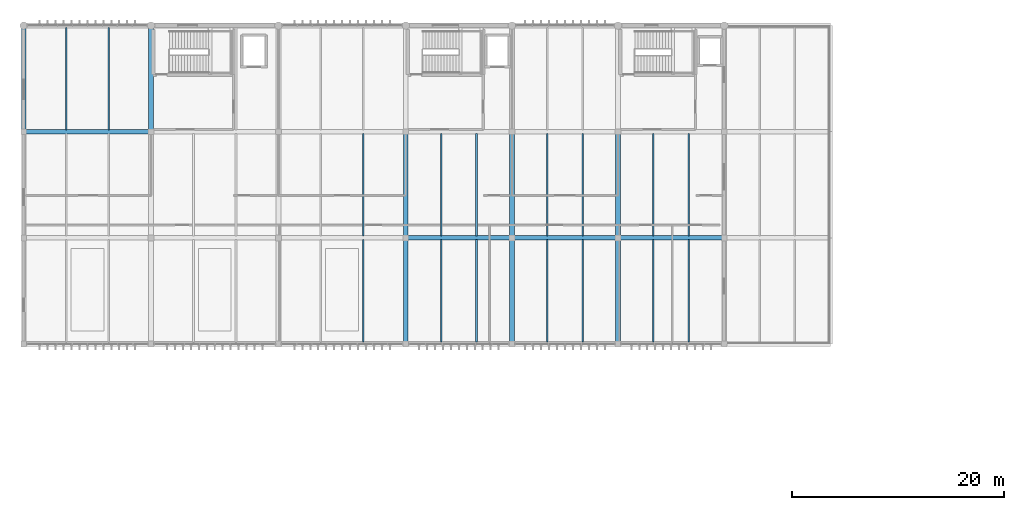
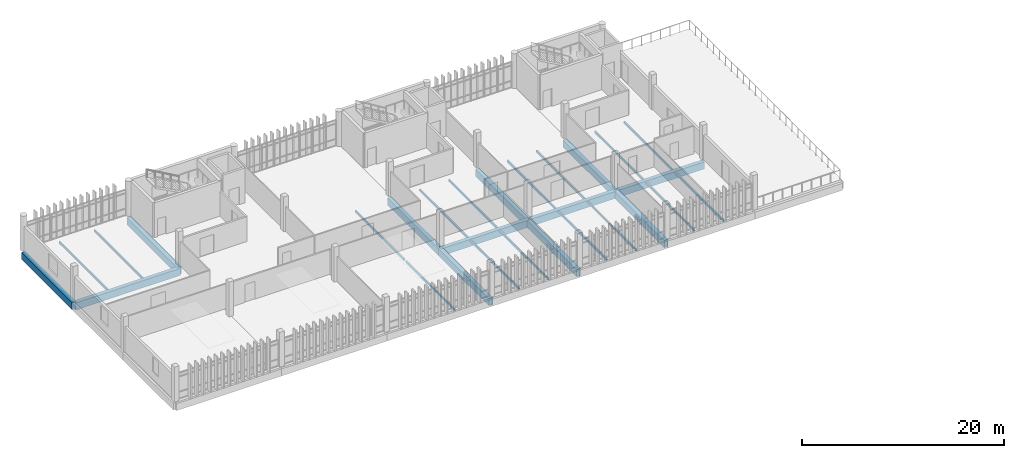
# One storey, part 10 of 29: 28 beams.
"""IFC4 building model written with IfcOpenShell, lengths in metres."""

from ifc_helpers import new_model, si_unit, direction, frame, origin, origin_2d, place, context, subcontext, project, spatial, rectangle, hollow_rectangle, extrude, material, material_profile, profile_set, type_object, element, save


model = new_model("IFC4")

# Units and contexts
model_context = context("Model", 3, precision=1e-05, world=origin(), true_north=direction((0.0, 1.0)))
body_context = subcontext(model_context, "Body", "Model", "MODEL_VIEW")
ifc_project = project(units=[si_unit("LENGTHUNIT", "METRE"), si_unit("AREAUNIT", "SQUARE_METRE"), si_unit("VOLUMEUNIT", "CUBIC_METRE"), si_unit("PLANEANGLEUNIT", "RADIAN"), si_unit("MASSUNIT", "GRAM", prefix="KILO")], contexts=[model_context])

# Site, building, storey
site_placement = place(None, origin())
site = spatial("IfcSite", under=ifc_project, at=site_placement, CompositionType="ELEMENT")
building_placement = place(site_placement, origin())
building = spatial("IfcBuilding", under=site, at=building_placement, Name="Mersad Railyard Sports Hall", CompositionType="ELEMENT")
storey_placement = place(building_placement, frame((0.0, 0.0, 17.39990234375)))
storey = spatial("IfcBuildingStorey", under=building, at=storey_placement, Name="L04", CompositionType="ELEMENT", Elevation=17.39990234375)

# Beams
ifc_material_1 = material(Name="Concrete C40/50", Category="concrete")
ifc_material_profile_1 = material_profile(ifc_material_1, rectangle(XDim=0.449951171875, YDim=0.85009765625, at=origin_2d()), Name="RC 450x850")
ifc_profile_set_1 = profile_set([ifc_material_profile_1], Name="Concrete C40/50")
beam_type_1 = type_object("IfcBeamType", Name="STR-BM-B02", PredefinedType="BEAM", material=ifc_profile_set_1)
for number, where, z_axis, x_axis, name in (
    (1, (91.0, 95.0, -0.744873046875), (1.0, 0.0, 0.0), (0.0, 1.0, 0.0), "Beam B02-1324"),
    (2, (101.0, 95.0, -0.744873046875), (1.0, 0.0, 0.0), (0.0, 1.0, 0.0), "Beam B02-1325"),
    (3, (111.0, 95.0, -0.744873046875), (1.0, 0.0, 0.0), (0.0, 1.0, 0.0), "Beam B02-1326"),
):
    element("IfcBeam", number, at=place(storey_placement, frame(where, z_axis=z_axis, x_axis=x_axis)), inside=storey, type_object=beam_type_1, Name=name, PredefinedType="BEAM", context=body_context, shape_type="SweptSolid", body=[
        extrude(rectangle(XDim=0.449951171875, YDim=0.85009765625, at=origin_2d()), origin(), (0.0, 0.0, 1.0), 10.0),
    ])
beam_placement = place(storey_placement, frame((55.0, 105.0, -0.744873046875), z_axis=(1.0, 0.0, 0.0), x_axis=(0.0, 1.0, 0.0)))
element("IfcBeam", 4, at=beam_placement, inside=storey, type_object=beam_type_1, Name="Beam B02-1328", PredefinedType="BEAM", context=body_context, shape_type="SweptSolid", body=[
    extrude(rectangle(XDim=0.449951171875, YDim=0.85009765625, at=origin_2d()), origin(), (0.0, 0.0, 1.0), 12.0),
])
for number, where, z_axis, x_axis, name in (
    (5, (55.0, 105.0, -0.744873046875), (0.0, 1.0, 0.0), (-1.0, 0.0, 0.0), "Beam B02-1344"),
    (6, (67.0, 105.0, -0.744873046875), (0.0, 1.0, 0.0), (-1.0, 0.0, 0.0), "Beam B02-1347"),
    (7, (91.0, 85.0, -0.744873046875), (0.0, 1.0, 0.0), (-1.0, 0.0, 0.0), "Beam B02-1351"),
    (8, (91.0, 95.0, -0.744873046875), (0.0, 1.0, 0.0), (-1.0, 0.0, 0.0), "Beam B02-1352"),
    (9, (101.0, 85.0, -0.744873046875), (0.0, 1.0, 0.0), (-1.0, 0.0, 0.0), "Beam B02-1354"),
    (10, (101.0, 95.0, -0.744873046875), (0.0, 1.0, 0.0), (-1.0, 0.0, 0.0), "Beam B02-1355"),
    (11, (111.0, 85.0, -0.744873046875), (0.0, 1.0, 0.0), (-1.0, 0.0, 0.0), "Beam B02-1357"),
    (12, (111.0, 95.0, -0.744873046875), (0.0, 1.0, 0.0), (-1.0, 0.0, 0.0), "Beam B02-1358"),
):
    element("IfcBeam", number, at=place(storey_placement, frame(where, z_axis=z_axis, x_axis=x_axis)), inside=storey, type_object=beam_type_1, Name=name, PredefinedType="BEAM", context=body_context, shape_type="SweptSolid", body=[
        extrude(rectangle(XDim=0.449951171875, YDim=0.85009765625, at=origin_2d()), origin(), (0.0, 0.0, 1.0), 10.0),
    ])
ifc_material_2 = material(Name="Steel S355", Category="steel")
ifc_material_profile_2 = material_profile(ifc_material_2, hollow_rectangle(XDim=0.14990234375, YDim=0.25, WallThickness=0.012451171875, at=origin_2d()), Name="RHS 250x150x12.5")
ifc_profile_set_2 = profile_set([ifc_material_profile_2], Name="Steel S355")
beam_type_2 = type_object("IfcBeamType", Name="STR-BM-SB05", PredefinedType="BEAM", material=ifc_profile_set_2)
for number, where, z_axis, x_axis, name in (
    (13, (59.0, 105.179931640625, -0.44482421875), (0.0, 1.0, 0.0), (-1.0, 0.0, 0.0), "Beam SB05-1370"),
    (14, (63.0, 105.179931640625, -0.44482421875), (0.0, 1.0, 0.0), (-1.0, 0.0, 0.0), "Beam SB05-1371"),
    (15, (87.0, 85.179931640625, -0.44482421875), (0.0, 1.0, 0.0), (-1.0, 0.0, 0.0), "Beam SB05-1378"),
    (16, (87.0, 95.179931640625, -0.44482421875), (0.0, 1.0, 0.0), (-1.0, 0.0, 0.0), "Beam SB05-1380"),
    (17, (94.3330078125, 85.179931640625, -0.44482421875), (0.0, 1.0, 0.0), (-1.0, 0.0, 0.0), "Beam SB05-1383"),
    (18, (97.6669921875, 85.179931640625, -0.44482421875), (0.0, 1.0, 0.0), (-1.0, 0.0, 0.0), "Beam SB05-1384"),
    (19, (94.3330078125, 95.179931640625, -0.44482421875), (0.0, 1.0, 0.0), (-1.0, 0.0, 0.0), "Beam SB05-1385"),
    (20, (97.6669921875, 95.179931640625, -0.44482421875), (0.0, 1.0, 0.0), (-1.0, 0.0, 0.0), "Beam SB05-1386"),
    (21, (104.3330078125, 85.179931640625, -0.44482421875), (0.0, 1.0, 0.0), (-1.0, 0.0, 0.0), "Beam SB05-1387"),
    (22, (107.6669921875, 85.179931640625, -0.44482421875), (0.0, 1.0, 0.0), (-1.0, 0.0, 0.0), "Beam SB05-1388"),
    (23, (104.3330078125, 95.179931640625, -0.44482421875), (0.0, 1.0, 0.0), (-1.0, 0.0, 0.0), "Beam SB05-1389"),
    (24, (107.6669921875, 95.179931640625, -0.44482421875), (0.0, 1.0, 0.0), (-1.0, 0.0, 0.0), "Beam SB05-1390"),
    (25, (114.3330078125, 85.179931640625, -0.44482421875), (0.0, 1.0, 0.0), (-1.0, 0.0, 0.0), "Beam SB05-1393"),
    (26, (117.6669921875, 85.179931640625, -0.44482421875), (0.0, 1.0, 0.0), (-1.0, 0.0, 0.0), "Beam SB05-1394"),
    (27, (114.3330078125, 95.179931640625, -0.44482421875), (0.0, 1.0, 0.0), (-1.0, 0.0, 0.0), "Beam SB05-1395"),
    (28, (117.6669921875, 95.179931640625, -0.44482421875), (0.0, 1.0, 0.0), (-1.0, 0.0, 0.0), "Beam SB05-1396"),
):
    element("IfcBeam", number, at=place(storey_placement, frame(where, z_axis=z_axis, x_axis=x_axis)), inside=storey, type_object=beam_type_2, Name=name, PredefinedType="BEAM", context=body_context, shape_type="SweptSolid", body=[
        extrude(hollow_rectangle(XDim=0.14990234375, YDim=0.25, WallThickness=0.012451171875, at=origin_2d()), origin(), (0.0, 0.0, 1.0), 9.64013671875),
    ])

save(model, "model.ifc")
